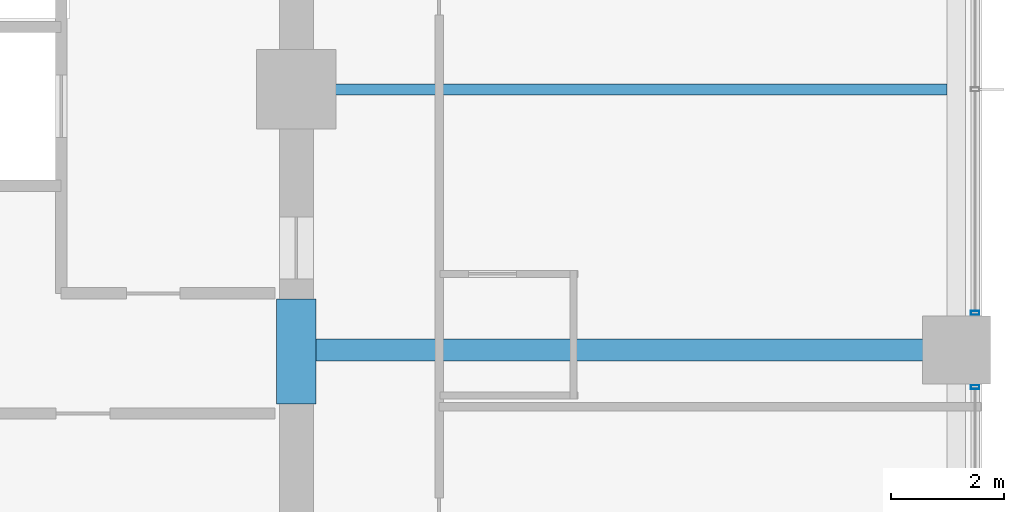
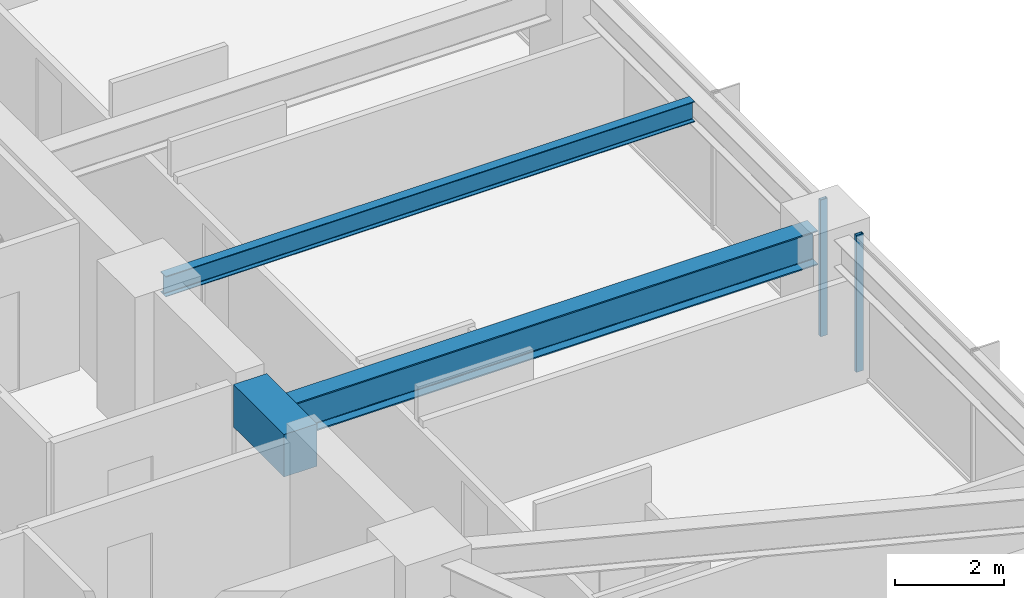
# One storey, part 14 of 38: 3 beams, 2 members, 2 elements without a shape of their own.
"""IFC4 building model written with IfcOpenShell, lengths in metres."""

from ifc_helpers import new_model, si_unit, direction, frame, origin, origin_2d, place, context, subcontext, project, spatial, rectangle, hollow_rectangle, i_section, extrude, material, material_profile, profile_set, type_object, element, aggregate, save


model = new_model("IFC4")

# Units and contexts
model_context = context("Model", 3, precision=1e-05, world=origin(), true_north=direction((0.0, 1.0)))
body_context = subcontext(model_context, "Body", "Model", "MODEL_VIEW")
ifc_project = project(units=[si_unit("LENGTHUNIT", "METRE"), si_unit("AREAUNIT", "SQUARE_METRE"), si_unit("VOLUMEUNIT", "CUBIC_METRE"), si_unit("PLANEANGLEUNIT", "RADIAN"), si_unit("MASSUNIT", "GRAM", prefix="KILO")], contexts=[model_context])

# Site, building, storey
site_placement = place(None, origin())
site = spatial("IfcSite", under=ifc_project, at=site_placement, CompositionType="ELEMENT")
building_placement = place(site_placement, origin())
building = spatial("IfcBuilding", under=site, at=building_placement, Name="Kolvaren Belvedere", CompositionType="ELEMENT")
storey_placement = place(building_placement, frame((0.0, 0.0, 30.39990234375)))
storey = spatial("IfcBuildingStorey", under=building, at=storey_placement, Name="L08", CompositionType="ELEMENT", Elevation=30.39990234375)

# Beams
ifc_material_1 = material(Name="Structural steel ASTM A992 Grade 50", Category="steel")
ifc_material_profile_1 = material_profile(ifc_material_1, i_section(OverallWidth=0.381103515625, OverallDepth=0.77294921875, WebThickness=0.0166015625, FlangeThickness=0.027099609375, FilletRadius=0.02392578125, at=origin_2d()), Name="W30X173")
ifc_profile_set_1 = profile_set([ifc_material_profile_1], Name="Structural steel ASTM A992 Grade 50")
beam_type_1 = type_object("IfcBeamType", Name="BM-GIRD-W30X173", PredefinedType="BEAM", material=ifc_profile_set_1)
beam_1_placement = place(storey_placement, frame((10.199951171875, -4.60009765625, 2.673583984375), z_axis=(1.0, 0.0, 0.0), x_axis=(0.0, 1.0, 0.0)))
element("IfcBeam", 1, at=beam_1_placement, inside=storey, type_object=beam_type_1, Name="L08 East Radial Girder M", PredefinedType="BEAM", context=body_context, shape_type="SweptSolid", body=[
    extrude(i_section(OverallWidth=0.381103515625, OverallDepth=0.77294921875, WebThickness=0.0166015625, FlangeThickness=0.027099609375, FilletRadius=0.02392578125, at=origin_2d()), origin(), (0.0, 0.0, 1.0), 11.080078125),
])
ifc_material_2 = material(Name="Structural steel ASTM A992 Grade 50", Category="steel")
ifc_material_profile_2 = material_profile(ifc_material_2, i_section(OverallWidth=0.19091796875, OverallDepth=0.4599609375, WebThickness=0.010009765625, FlangeThickness=0.01611328125, FilletRadius=0.014892578125, at=origin_2d()), Name="W18X55")
ifc_profile_set_2 = profile_set([ifc_material_profile_2], Name="Structural steel ASTM A992 Grade 50")
beam_type_2 = type_object("IfcBeamType", Name="BM-JOIST-W18X55", PredefinedType="BEAM", material=ifc_profile_set_2)
beam_2_placement = place(storey_placement, frame((10.199951171875, 0.0, 2.830078125), z_axis=(1.0, 0.0, 0.0), x_axis=(0.0, 1.0, 0.0)))
element("IfcBeam", 2, at=beam_2_placement, inside=storey, type_object=beam_type_2, Name="L08 East Centre Floor Beam", PredefinedType="BEAM", context=body_context, shape_type="SweptSolid", body=[
    extrude(i_section(OverallWidth=0.19091796875, OverallDepth=0.4599609375, WebThickness=0.010009765625, FlangeThickness=0.01611328125, FilletRadius=0.014892578125, at=origin_2d()), origin(), (0.0, 0.0, 1.0), 11.1875),
])
ifc_material_3 = material(Name="Concrete C60/75", Category="concrete")
ifc_material_profile_3 = material_profile(ifc_material_3, rectangle(XDim=0.699951171875, YDim=0.949951171875, at=origin_2d()), Name="RC 700X950")
ifc_profile_set_3 = profile_set([ifc_material_profile_3], Name="Concrete C60/75")
beam_type_3 = type_object("IfcBeamType", Name="BM-LINT-950", PredefinedType="LINTEL", material=ifc_profile_set_3)
beam_3_placement = place(storey_placement, frame((9.89990234375, -5.550048828125, 2.585205078125), z_axis=(0.0, 1.0, 0.0), x_axis=(-1.0, 0.0, 0.0)))
element("IfcBeam", 3, at=beam_3_placement, inside=storey, type_object=beam_type_3, Name="L08 East Core Coupling Lintel", PredefinedType="LINTEL", context=body_context, shape_type="SweptSolid", body=[
    extrude(rectangle(XDim=0.699951171875, YDim=0.949951171875, at=origin_2d()), origin(), (0.0, 0.0, 1.0), 1.85009765625),
])

# Curtain wall, member
ifc_material_4 = material(Name="Anodised pale-metal aluminium AA 6063-T6", Category="aluminium")
curtain_wall_type = type_object("IfcCurtainWallType", Name="CW-Z1-LOW", PredefinedType="NOTDEFINED", material=ifc_material_4)
curtain_wall_1_placement = place(storey_placement, origin())
curtain_wall_1 = element("IfcCurtainWall", 4, at=curtain_wall_1_placement, inside=storey, type_object=curtain_wall_type, Name="L08 Unitised Curtain Wall FCW-L08-E-B2", PredefinedType="NOTDEFINED")
ifc_material_5 = material(Name="Anodised pale-metal aluminium AA 6063-T6", Category="aluminium")
ifc_material_profile_4 = material_profile(ifc_material_5, hollow_rectangle(XDim=0.070068359375, YDim=0.14990234375, WallThickness=0.004150390625, at=origin_2d()), Name="ALU-MUL-150X70")
ifc_profile_set_4 = profile_set([ifc_material_profile_4], Name="Anodised pale-metal aluminium AA 6063-T6")
member_type = type_object("IfcMemberType", Name="CW-MUL-150", PredefinedType="MULLION", material=ifc_profile_set_4)
member_1_placement = place(storey_placement, frame((21.8798828125, -3.945068359375, 0.0), z_axis=(0.0, 0.0, 1.0), x_axis=(0.0, 1.0, 0.0)))
member_1 = element("IfcMember", 5, at=member_1_placement, type_object=member_type, Name="FCW-L08-E-B2 Unitised Mullion 3", PredefinedType="MULLION", context=body_context, shape_type="SweptSolid", body=[
    extrude(hollow_rectangle(XDim=0.070068359375, YDim=0.14990234375, WallThickness=0.004150390625, at=origin_2d()), origin(), (0.0, 0.0, 1.0), 3.06005859375),
])
aggregate(curtain_wall_1, [member_1])

curtain_wall_2_placement = place(storey_placement, origin())
curtain_wall_2 = element("IfcCurtainWall", 6, at=curtain_wall_2_placement, inside=storey, type_object=curtain_wall_type, Name="L08 Unitised Curtain Wall FCW-L08-E-B3", PredefinedType="NOTDEFINED")
member_2_placement = place(storey_placement, frame((21.8798828125, -5.2548828125, 0.0), z_axis=(0.0, 0.0, 1.0), x_axis=(0.0, 1.0, 0.0)))
member_2 = element("IfcMember", 7, at=member_2_placement, type_object=member_type, Name="FCW-L08-E-B3 Unitised Mullion 1", PredefinedType="MULLION", context=body_context, shape_type="SweptSolid", body=[
    extrude(hollow_rectangle(XDim=0.070068359375, YDim=0.14990234375, WallThickness=0.004150390625, at=origin_2d()), origin(), (0.0, 0.0, 1.0), 3.06005859375),
])
aggregate(curtain_wall_2, [member_2])

save(model, "model.ifc")
